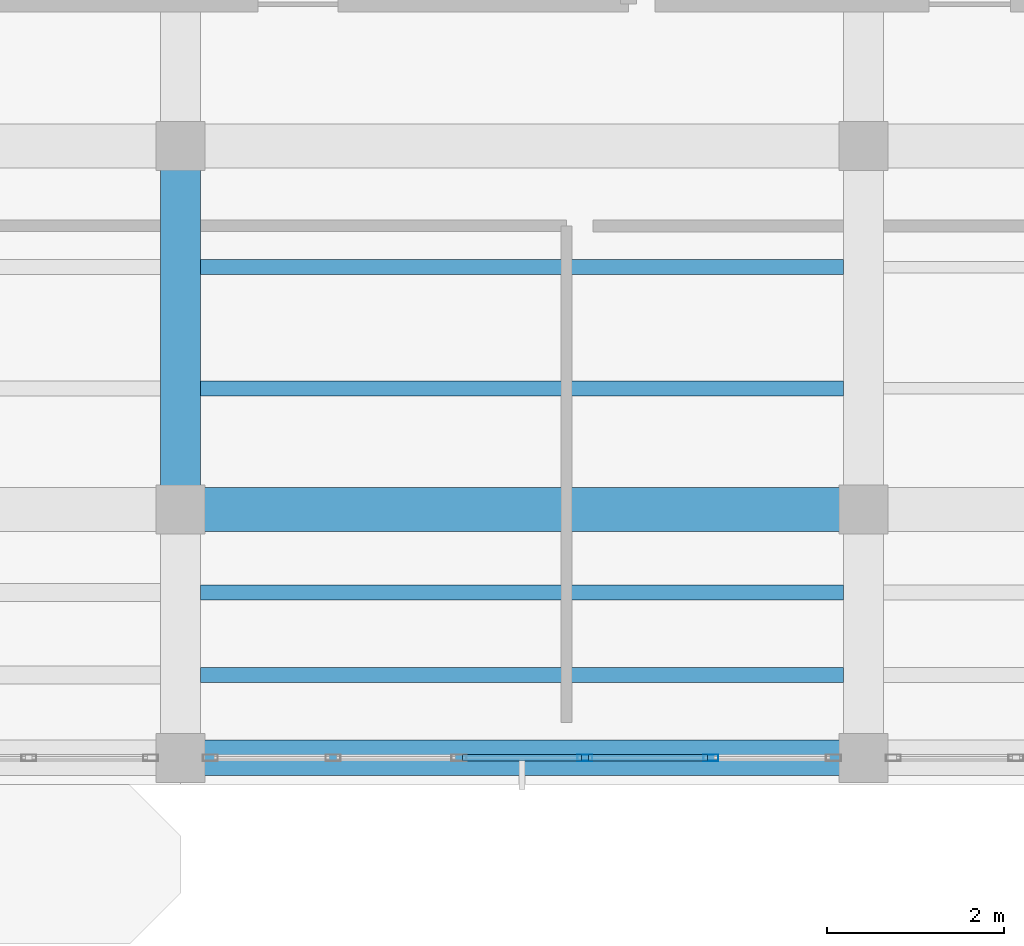
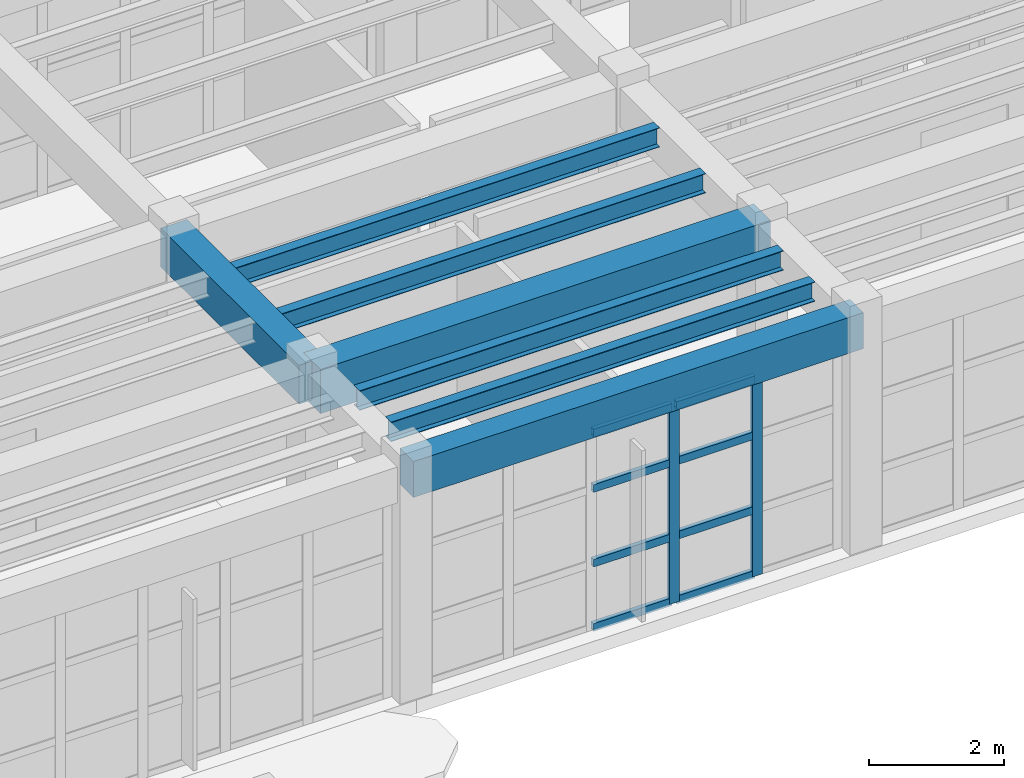
# One storey, part 26 of 85: 10 members, 7 beams, 1 element without a shape of its own.
"""IFC4 building model written with IfcOpenShell, lengths in metres."""

from ifc_helpers import new_model, si_unit, direction, frame, origin, origin_2d, place, context, subcontext, project, spatial, rectangle, hollow_rectangle, i_section, extrude, material, layer, layer_set, material_profile, profile_set, type_object, element, aggregate, save


model = new_model("IFC4")

# Units and contexts
model_context = context("Model", 3, precision=1e-05, world=origin(), true_north=direction((0.0, 1.0)))
body_context = subcontext(model_context, "Body", "Model", "MODEL_VIEW")
ifc_project = project(units=[si_unit("LENGTHUNIT", "METRE"), si_unit("AREAUNIT", "SQUARE_METRE"), si_unit("VOLUMEUNIT", "CUBIC_METRE"), si_unit("PLANEANGLEUNIT", "RADIAN"), si_unit("MASSUNIT", "GRAM", prefix="KILO")], contexts=[model_context])

# Site, building, storey
site_placement = place(None, origin())
site = spatial("IfcSite", under=ifc_project, at=site_placement, CompositionType="ELEMENT")
building_placement = place(site_placement, origin())
building = spatial("IfcBuilding", under=site, at=building_placement, Name="Candilejo Ridge Gondola Terminal", CompositionType="ELEMENT")
storey_placement = place(building_placement, frame((0.0, 0.0, 4.5)))
storey = spatial("IfcBuildingStorey", under=building, at=storey_placement, Name="L01", CompositionType="ELEMENT", Elevation=4.5)

# Curtain wall, members
ifc_material_1 = material(Name="Anodised aluminium AA 6063-T6", Category="aluminium")
ifc_layer = layer(ifc_material_1, 0.169921875)
ifc_layer_set = layer_set([ifc_layer], Name="ARC-CW-CONCOURSE-3600-710X359")
curtain_wall_type = type_object("IfcCurtainWallType", Name="ARC-CW-CONCOURSE-3600-710X359", PredefinedType="NOTDEFINED", material=ifc_layer_set)
curtain_wall_placement = place(storey_placement, origin())
curtain_wall = element("IfcCurtainWall", 1, at=curtain_wall_placement, inside=storey, type_object=curtain_wall_type, Name="Curtain wall V3 L01-077", PredefinedType="NOTDEFINED")
ifc_material_2 = material(Name="Anodised aluminium AA 6063-T6", Category="aluminium")
ifc_material_profile_1 = material_profile(ifc_material_2, hollow_rectangle(XDim=0.074951171875, YDim=0.169921875, WallThickness=0.00390625, at=origin_2d()))
ifc_profile_set_1 = profile_set([ifc_material_profile_1], Name="Anodised aluminium AA 6063-T6")
member_type_1 = type_object("IfcMemberType", Name="ARC-CW-MULLION", PredefinedType="MULLION", material=ifc_profile_set_1)
member_1_placement = place(storey_placement, frame((114.409912109375, 22.89990234375, 0.0), z_axis=(0.0, 0.0, 1.0), x_axis=(0.0, 1.0, 0.0)))
member_1 = element("IfcMember", 2, at=member_1_placement, type_object=member_type_1, Name="CW-71X35 mullion 4", PredefinedType="MULLION", context=body_context, shape_type="SweptSolid", body=[
    extrude(hollow_rectangle(XDim=0.074951171875, YDim=0.169921875, WallThickness=0.00390625, at=origin_2d()), origin(), (0.0, 0.0, 1.0), 3.590087890625),
])
member_2_placement = place(storey_placement, frame((115.830078125, 22.89990234375, 0.0), z_axis=(0.0, 0.0, 1.0), x_axis=(0.0, 1.0, 0.0)))
member_2 = element("IfcMember", 3, at=member_2_placement, type_object=member_type_1, Name="CW-71X35 mullion 5", PredefinedType="MULLION", context=body_context, shape_type="SweptSolid", body=[
    extrude(hollow_rectangle(XDim=0.074951171875, YDim=0.169921875, WallThickness=0.00390625, at=origin_2d()), origin(), (0.0, 0.0, 1.0), 3.590087890625),
])
ifc_material_3 = material(Name="Anodised aluminium AA 6063-T6", Category="aluminium")
ifc_material_profile_2 = material_profile(ifc_material_3, hollow_rectangle(XDim=0.074951171875, YDim=0.139892578125, WallThickness=0.00390625, at=origin_2d()))
ifc_profile_set_2 = profile_set([ifc_material_profile_2], Name="Anodised aluminium AA 6063-T6")
member_type_2 = type_object("IfcMemberType", Name="ARC-CW-TRANSOM", PredefinedType="USERDEFINED", material=ifc_profile_set_2)
member_3_placement = place(storey_placement, frame((113.027587890625, 22.89990234375, 0.03759765625), z_axis=(1.0, 0.0, 0.0), x_axis=(0.0, 1.0, 0.0)))
member_3 = element("IfcMember", 4, at=member_3_placement, type_object=member_type_2, Name="CW-71X35 transom 3.1", ObjectType="TRANSOM", PredefinedType="USERDEFINED", context=body_context, shape_type="SweptSolid", body=[
    extrude(hollow_rectangle(XDim=0.074951171875, YDim=0.139892578125, WallThickness=0.00390625, at=origin_2d()), origin(), (0.0, 0.0, 1.0), 1.344970703125),
])
member_4_placement = place(storey_placement, frame((113.027587890625, 22.89990234375, 1.199951171875), z_axis=(1.0, 0.0, 0.0), x_axis=(0.0, 1.0, 0.0)))
member_4 = element("IfcMember", 5, at=member_4_placement, type_object=member_type_2, Name="CW-71X35 transom 3.2", ObjectType="TRANSOM", PredefinedType="USERDEFINED", context=body_context, shape_type="SweptSolid", body=[
    extrude(hollow_rectangle(XDim=0.074951171875, YDim=0.139892578125, WallThickness=0.00390625, at=origin_2d()), origin(), (0.0, 0.0, 1.0), 1.344970703125),
])
member_5_placement = place(storey_placement, frame((113.027587890625, 22.89990234375, 2.550048828125), z_axis=(1.0, 0.0, 0.0), x_axis=(0.0, 1.0, 0.0)))
member_5 = element("IfcMember", 6, at=member_5_placement, type_object=member_type_2, Name="CW-71X35 transom 3.3", ObjectType="TRANSOM", PredefinedType="USERDEFINED", context=body_context, shape_type="SweptSolid", body=[
    extrude(hollow_rectangle(XDim=0.074951171875, YDim=0.139892578125, WallThickness=0.00390625, at=origin_2d()), origin(), (0.0, 0.0, 1.0), 1.344970703125),
])
member_6_placement = place(storey_placement, frame((113.027587890625, 22.89990234375, 3.552490234375), z_axis=(1.0, 0.0, 0.0), x_axis=(0.0, 1.0, 0.0)))
member_6 = element("IfcMember", 7, at=member_6_placement, type_object=member_type_2, Name="CW-71X35 transom 3.4", ObjectType="TRANSOM", PredefinedType="USERDEFINED", context=body_context, shape_type="SweptSolid", body=[
    extrude(hollow_rectangle(XDim=0.074951171875, YDim=0.139892578125, WallThickness=0.00390625, at=origin_2d()), origin(), (0.0, 0.0, 1.0), 1.344970703125),
])
member_7_placement = place(storey_placement, frame((114.447509765625, 22.89990234375, 0.03759765625), z_axis=(1.0, 0.0, 0.0), x_axis=(0.0, 1.0, 0.0)))
member_7 = element("IfcMember", 8, at=member_7_placement, type_object=member_type_2, Name="CW-71X35 transom 4.1", ObjectType="TRANSOM", PredefinedType="USERDEFINED", context=body_context, shape_type="SweptSolid", body=[
    extrude(hollow_rectangle(XDim=0.074951171875, YDim=0.139892578125, WallThickness=0.00390625, at=origin_2d()), origin(), (0.0, 0.0, 1.0), 1.344970703125),
])
member_8_placement = place(storey_placement, frame((114.447509765625, 22.89990234375, 1.199951171875), z_axis=(1.0, 0.0, 0.0), x_axis=(0.0, 1.0, 0.0)))
member_8 = element("IfcMember", 9, at=member_8_placement, type_object=member_type_2, Name="CW-71X35 transom 4.2", ObjectType="TRANSOM", PredefinedType="USERDEFINED", context=body_context, shape_type="SweptSolid", body=[
    extrude(hollow_rectangle(XDim=0.074951171875, YDim=0.139892578125, WallThickness=0.00390625, at=origin_2d()), origin(), (0.0, 0.0, 1.0), 1.344970703125),
])
member_9_placement = place(storey_placement, frame((114.447509765625, 22.89990234375, 2.550048828125), z_axis=(1.0, 0.0, 0.0), x_axis=(0.0, 1.0, 0.0)))
member_9 = element("IfcMember", 10, at=member_9_placement, type_object=member_type_2, Name="CW-71X35 transom 4.3", ObjectType="TRANSOM", PredefinedType="USERDEFINED", context=body_context, shape_type="SweptSolid", body=[
    extrude(hollow_rectangle(XDim=0.074951171875, YDim=0.139892578125, WallThickness=0.00390625, at=origin_2d()), origin(), (0.0, 0.0, 1.0), 1.344970703125),
])
member_10_placement = place(storey_placement, frame((114.447509765625, 22.89990234375, 3.552490234375), z_axis=(1.0, 0.0, 0.0), x_axis=(0.0, 1.0, 0.0)))
member_10 = element("IfcMember", 11, at=member_10_placement, type_object=member_type_2, Name="CW-71X35 transom 4.4", ObjectType="TRANSOM", PredefinedType="USERDEFINED", context=body_context, shape_type="SweptSolid", body=[
    extrude(hollow_rectangle(XDim=0.074951171875, YDim=0.139892578125, WallThickness=0.00390625, at=origin_2d()), origin(), (0.0, 0.0, 1.0), 1.344970703125),
])
aggregate(curtain_wall, [member_1, member_2, member_3, member_4, member_5, member_6, member_7, member_8, member_9, member_10])

# Beams
ifc_material_4 = material(Name="Concrete f'c 35 MPa (C35/45)", Category="concrete")
ifc_material_profile_3 = material_profile(ifc_material_4, rectangle(XDim=0.449951171875, YDim=0.699951171875, at=origin_2d()))
ifc_profile_set_3 = profile_set([ifc_material_profile_3], Name="Concrete f'c 35 MPa (C35/45)")
beam_type_1 = type_object("IfcBeamType", Name="STR-BM-RC450X700", PredefinedType="BEAM", material=ifc_profile_set_3)
beam_1_placement = place(storey_placement, frame((109.85009765625, 25.699951171875, 3.89990234375), z_axis=(0.0, 1.0, 0.0), x_axis=(-1.0, 0.0, 0.0)))
element("IfcBeam", 12, at=beam_1_placement, inside=storey, type_object=beam_type_1, Name="Beam Y V3 L01 Y05-Y06@X17", PredefinedType="BEAM", context=body_context, shape_type="SweptSolid", body=[
    extrude(rectangle(XDim=0.449951171875, YDim=0.699951171875, at=origin_2d()), origin(), (0.0, 0.0, 1.0), 4.10009765625),
])
ifc_material_5 = material(Name="Concrete f'c 35 MPa (C35/45)", Category="concrete")
ifc_material_profile_4 = material_profile(ifc_material_5, rectangle(XDim=0.5, YDim=0.800048828125, at=origin_2d()))
ifc_profile_set_4 = profile_set([ifc_material_profile_4], Name="Concrete f'c 35 MPa (C35/45)")
beam_type_2 = type_object("IfcBeamType", Name="STR-BM-RC500X800", PredefinedType="BEAM", material=ifc_profile_set_4)
beam_2_placement = place(storey_placement, frame((109.85009765625, 25.699951171875, 3.85009765625), z_axis=(1.0, 0.0, 0.0), x_axis=(0.0, 1.0, 0.0)))
element("IfcBeam", 13, at=beam_2_placement, inside=storey, type_object=beam_type_2, Name="Beam X V3 L01 X17-X18@Y05", PredefinedType="BEAM", context=body_context, shape_type="SweptSolid", body=[
    extrude(rectangle(XDim=0.5, YDim=0.800048828125, at=origin_2d()), origin(), (0.0, 0.0, 1.0), 7.699951171875),
])
ifc_material_6 = material(Name="Steel ASTM A992 Grade 50", Category="steel")
ifc_material_profile_5 = material_profile(ifc_material_6, i_section(OverallWidth=0.1708984375, OverallDepth=0.35205078125, WebThickness=0.0068359375, FlangeThickness=0.009765625, at=origin_2d()))
ifc_profile_set_5 = profile_set([ifc_material_profile_5], Name="Steel ASTM A992 Grade 50")
beam_type_3 = type_object("IfcBeamType", Name="STR-JST-W360X44", PredefinedType="JOIST", material=ifc_profile_set_5)
for number, where, z_axis, x_axis, name in (
    (14, (110.074951171875, 27.066650390625, 4.073974609375), (1.0, 0.0, 0.0), (0.0, 1.0, 0.0), "Composite joist V3 L01-0496"),
    (15, (110.074951171875, 28.433349609375, 4.073974609375), (1.0, 0.0, 0.0), (0.0, 1.0, 0.0), "Composite joist V3 L01-0497"),
):
    element("IfcBeam", number, at=place(storey_placement, frame(where, z_axis=z_axis, x_axis=x_axis)), inside=storey, type_object=beam_type_3, Name=name, PredefinedType="JOIST", context=body_context, shape_type="SweptSolid", body=[
        extrude(i_section(OverallWidth=0.1708984375, OverallDepth=0.35205078125, WebThickness=0.0068359375, FlangeThickness=0.009765625, at=origin_2d()), origin(), (0.0, 0.0, 1.0), 7.25),
    ])
ifc_material_7 = material(Name="Steel ASTM A992 Grade 50", Category="steel")
ifc_material_profile_6 = material_profile(ifc_material_7, i_section(OverallWidth=0.1708984375, OverallDepth=0.35498046875, WebThickness=0.007080078125, FlangeThickness=0.01171875, at=origin_2d()))
ifc_profile_set_6 = profile_set([ifc_material_profile_6], Name="Steel ASTM A992 Grade 50")
beam_type_4 = type_object("IfcBeamType", Name="STR-JST-W360X51", PredefinedType="JOIST", material=ifc_profile_set_6)
for number, where, z_axis, x_axis, name in (
    (16, (110.074951171875, 23.833251953125, 4.072509765625), (1.0, 0.0, 0.0), (0.0, 1.0, 0.0), "Composite joist V3 L01-0494"),
    (17, (110.074951171875, 24.7666015625, 4.072509765625), (1.0, 0.0, 0.0), (0.0, 1.0, 0.0), "Composite joist V3 L01-0495"),
):
    element("IfcBeam", number, at=place(storey_placement, frame(where, z_axis=z_axis, x_axis=x_axis)), inside=storey, type_object=beam_type_4, Name=name, PredefinedType="JOIST", context=body_context, shape_type="SweptSolid", body=[
        extrude(i_section(OverallWidth=0.1708984375, OverallDepth=0.35498046875, WebThickness=0.007080078125, FlangeThickness=0.01171875, at=origin_2d()), origin(), (0.0, 0.0, 1.0), 7.25),
    ])
ifc_material_8 = material(Name="Concrete f'c 35 MPa (C35/45)", Category="concrete")
ifc_material_profile_7 = material_profile(ifc_material_8, rectangle(XDim=0.39990234375, YDim=0.64990234375, at=origin_2d()))
ifc_profile_set_7 = profile_set([ifc_material_profile_7], Name="Concrete f'c 35 MPa (C35/45)")
beam_type_5 = type_object("IfcBeamType", Name="STR-SPN-RC400X650", PredefinedType="SPANDREL", material=ifc_profile_set_7)
beam_3_placement = place(storey_placement, frame((109.85009765625, 22.89990234375, 3.925048828125), z_axis=(1.0, 0.0, 0.0), x_axis=(0.0, 1.0, 0.0)))
element("IfcBeam", 18, at=beam_3_placement, inside=storey, type_object=beam_type_5, Name="Beam X V3 L01 X17-X18@Y04", PredefinedType="SPANDREL", context=body_context, shape_type="SweptSolid", body=[
    extrude(rectangle(XDim=0.39990234375, YDim=0.64990234375, at=origin_2d()), origin(), (0.0, 0.0, 1.0), 7.699951171875),
])

save(model, "model.ifc")
